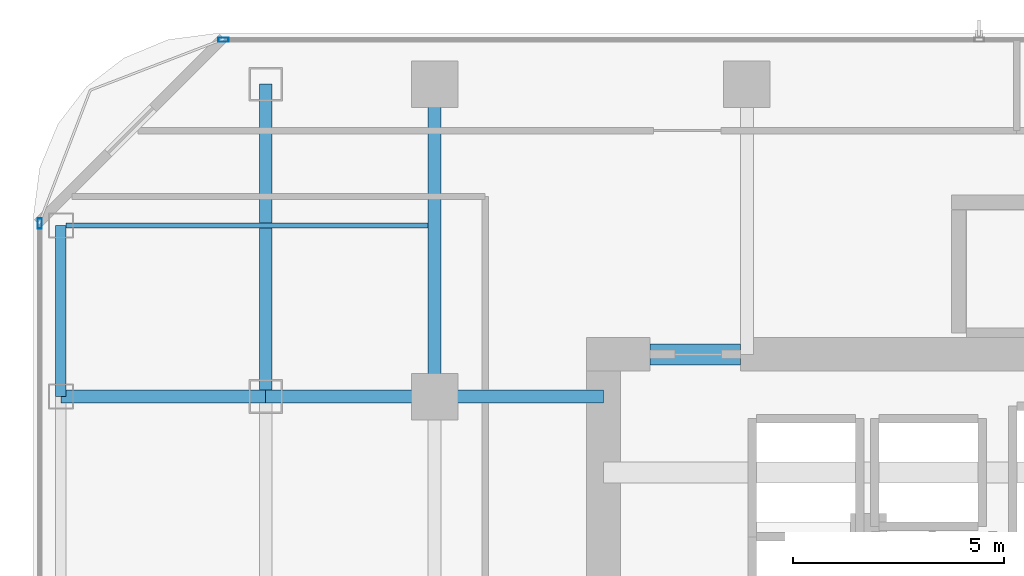
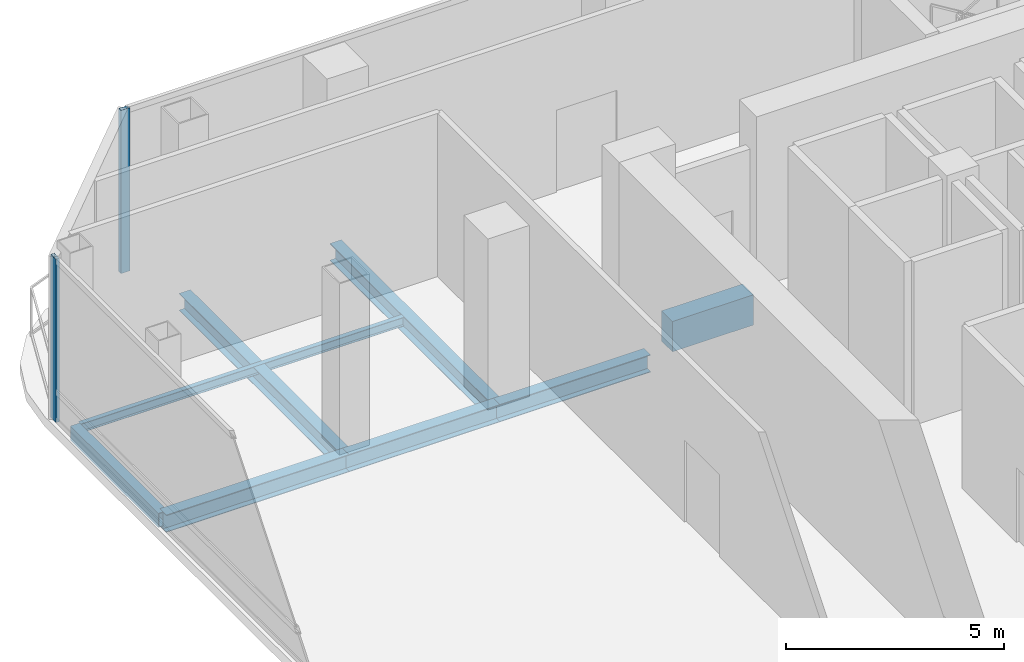
# One storey, part 11 of 22: 8 beams, 2 members, 2 elements without a shape of their own.
"""IFC4 building model written with IfcOpenShell, lengths in metres."""

from ifc_helpers import new_model, si_unit, direction, frame, origin, origin_2d, place, context, subcontext, project, spatial, rectangle, hollow_rectangle, i_section, extrude, material, layer, layer_set, material_profile, profile_set, type_object, element, aggregate, save


model = new_model("IFC4")

# Units and contexts
model_context = context("Model", 3, precision=1e-05, world=origin(), true_north=direction((0.0, 1.0)))
body_context = subcontext(model_context, "Body", "Model", "MODEL_VIEW")
ifc_project = project(units=[si_unit("LENGTHUNIT", "METRE"), si_unit("AREAUNIT", "SQUARE_METRE"), si_unit("VOLUMEUNIT", "CUBIC_METRE"), si_unit("PLANEANGLEUNIT", "RADIAN"), si_unit("MASSUNIT", "GRAM", prefix="KILO")], contexts=[model_context])

# Site, building, storey
site_placement = place(None, origin())
site = spatial("IfcSite", under=ifc_project, at=site_placement, CompositionType="ELEMENT")
building_placement = place(site_placement, origin())
building = spatial("IfcBuilding", under=site, at=building_placement, Name="Khorvyn Point Tower", CompositionType="ELEMENT")
storey_placement = place(building_placement, frame((0.0, 0.0, 210.89990234375)))
storey = spatial("IfcBuildingStorey", under=building, at=storey_placement, Name="L52", CompositionType="ELEMENT", Elevation=210.89990234375)

# Curtain wall, member
ifc_material_1 = material(Name="Anodised aluminium 6063-T6 and laminated Low-E glass", Category="aluminium")
ifc_layer = layer(ifc_material_1, 0.18994140625)
ifc_layer_set = layer_set([ifc_layer], Name="Stick-Built Sky-Lobby Curtain Wall CW-SYS-05")
curtain_wall_type = type_object("IfcCurtainWallType", Name="Stick-Built Sky-Lobby Curtain Wall CW-SYS-05", PredefinedType="NOTDEFINED", material=ifc_layer_set)
curtain_wall_1_placement = place(storey_placement, origin())
curtain_wall_1 = element("IfcCurtainWall", 1, at=curtain_wall_1_placement, inside=storey, type_object=curtain_wall_type, Name="Curtain Wall", PredefinedType="NOTDEFINED")
ifc_material_2 = material(Name="Anodised aluminium 6063-T6", Category="aluminium")
ifc_material_profile_1 = material_profile(ifc_material_2, hollow_rectangle(XDim=0.10009765625, YDim=0.239990234375, WallThickness=0.0048828125, at=origin_2d()))
ifc_profile_set_1 = profile_set([ifc_material_profile_1], Name="Anodised aluminium 6063-T6 ALU-MUL-100x240")
member_type = type_object("IfcMemberType", Name="Anodised Aluminium 6063-T6 Mullion ALU-MUL-100x240", PredefinedType="MULLION", material=ifc_profile_set_1)
member_1_placement = place(storey_placement, frame((-19.800048828125, 15.85009765625, 0.0), z_axis=(0.0, 0.0, 1.0), x_axis=(0.0, 1.0, 0.0)))
member_1 = element("IfcMember", 2, at=member_1_placement, type_object=member_type, Name="Transom", PredefinedType="MULLION", context=body_context, shape_type="SweptSolid", body=[
    extrude(hollow_rectangle(XDim=0.10009765625, YDim=0.239990234375, WallThickness=0.0048828125, at=origin_2d()), origin(), (0.0, 0.0, 1.0), 4.580078125),
])
aggregate(curtain_wall_1, [member_1])

curtain_wall_2_placement = place(storey_placement, origin())
curtain_wall_2 = element("IfcCurtainWall", 3, at=curtain_wall_2_placement, inside=storey, type_object=curtain_wall_type, Name="Curtain Wall", PredefinedType="NOTDEFINED")
member_2_placement = place(storey_placement, frame((-24.14990234375, 11.5, 0.0), z_axis=(0.0, 0.0, 1.0), x_axis=(-1.0, 0.0, 0.0)))
member_2 = element("IfcMember", 4, at=member_2_placement, type_object=member_type, Name="Transom", PredefinedType="MULLION", context=body_context, shape_type="SweptSolid", body=[
    extrude(hollow_rectangle(XDim=0.10009765625, YDim=0.239990234375, WallThickness=0.0048828125, at=origin_2d()), origin(), (0.0, 0.0, 1.0), 4.580078125),
])
aggregate(curtain_wall_2, [member_2])

# Beams
ifc_material_3 = material(Name="Concrete C45/55", Category="concrete")
ifc_material_profile_2 = material_profile(ifc_material_3, rectangle(XDim=0.5, YDim=0.85009765625, at=origin_2d()))
ifc_profile_set_2 = profile_set([ifc_material_profile_2], Name="Concrete C45/55 RC500x850")
beam_type_1 = type_object("IfcBeamType", Name="Concrete C45/55 Beam RC500x850", PredefinedType="BEAM", material=ifc_profile_set_2)
beam_1_placement = place(storey_placement, frame((-9.699951171875, 8.39990234375, -0.704833984375), z_axis=(1.0, 0.0, 0.0), x_axis=(0.0, 1.0, 0.0)))
element("IfcBeam", 5, at=beam_1_placement, inside=storey, type_object=beam_type_1, Name="L52 Core Northwest Portal Coupling Beam", PredefinedType="BEAM", context=body_context, shape_type="SweptSolid", body=[
    extrude(rectangle(XDim=0.5, YDim=0.85009765625, at=origin_2d()), origin(), (0.0, 0.0, 1.0), 2.14990234375),
])
ifc_material_4 = material(Name="Steel S355", Category="steel")
ifc_material_profile_3 = material_profile(ifc_material_4, i_section(OverallWidth=0.125, OverallDepth=0.25, WebThickness=0.006103515625, FlangeThickness=0.009033203125, at=origin_2d()))
ifc_profile_set_3 = profile_set([ifc_material_profile_3], Name="Steel S355 H250x125x6x9")
beam_type_2 = type_object("IfcBeamType", Name="Steel S355 Joist H250x125x6x9", PredefinedType="JOIST", material=ifc_profile_set_3)
beam_2_placement = place(storey_placement, frame((-23.52490234375, 11.449951171875, -0.40478515625), z_axis=(1.0, 0.0, 0.0), x_axis=(0.0, 1.0, 0.0)))
element("IfcBeam", 6, at=beam_2_placement, inside=storey, type_object=beam_type_2, Name="Beam", PredefinedType="JOIST", context=body_context, shape_type="SweptSolid", body=[
    extrude(i_section(OverallWidth=0.125, OverallDepth=0.25, WebThickness=0.006103515625, FlangeThickness=0.009033203125, at=origin_2d()), origin(), (0.0, 0.0, 1.0), 8.574951171875),
])
ifc_material_profile_4 = material_profile(ifc_material_4, i_section(OverallWidth=0.300048828125, OverallDepth=0.488037109375, WebThickness=0.010986328125, FlangeThickness=0.01806640625, at=origin_2d()))
ifc_profile_set_4 = profile_set([ifc_material_profile_4], Name="Steel S355 H488x300x11x18")
beam_type_3 = type_object("IfcBeamType", Name="Steel S355 Spandrel H488x300x11x18", PredefinedType="SPANDREL", material=ifc_profile_set_4)
beam_3_placement = place(storey_placement, frame((-23.64990234375, 7.39990234375, -0.52392578125), z_axis=(1.0, 0.0, 0.0), x_axis=(0.0, 1.0, 0.0)))
element("IfcBeam", 7, at=beam_3_placement, inside=storey, type_object=beam_type_3, Name="Beam", PredefinedType="SPANDREL", context=body_context, shape_type="SweptSolid", body=[
    extrude(i_section(OverallWidth=0.300048828125, OverallDepth=0.488037109375, WebThickness=0.010986328125, FlangeThickness=0.01806640625, at=origin_2d()), origin(), (0.0, 0.0, 1.0), 4.849853515625),
])
for number, where, z_axis, x_axis, name in (
    (8, (-18.800048828125, 7.39990234375, -0.52392578125), (1.0, 0.0, 0.0), (0.0, 1.0, 0.0), "Beam"),
    (9, (-14.800048828125, 7.39990234375, -0.52392578125), (1.0, 0.0, 0.0), (0.0, 1.0, 0.0), "Beam"),
):
    element("IfcBeam", number, at=place(storey_placement, frame(where, z_axis=z_axis, x_axis=x_axis)), inside=storey, type_object=beam_type_3, Name=name, PredefinedType="SPANDREL", context=body_context, shape_type="SweptSolid", body=[
        extrude(i_section(OverallWidth=0.300048828125, OverallDepth=0.488037109375, WebThickness=0.010986328125, FlangeThickness=0.01806640625, at=origin_2d()), origin(), (0.0, 0.0, 1.0), 4.0),
    ])
for number, where, z_axis, x_axis, name in (
    (10, (-14.800048828125, 7.39990234375, -0.52392578125), (0.0, 1.0, 0.0), (-1.0, 0.0, 0.0), "Beam"),
    (11, (-18.800048828125, 7.39990234375, -0.52392578125), (0.0, 1.0, 0.0), (-1.0, 0.0, 0.0), "Beam"),
):
    element("IfcBeam", number, at=place(storey_placement, frame(where, z_axis=z_axis, x_axis=x_axis)), inside=storey, type_object=beam_type_3, Name=name, PredefinedType="SPANDREL", context=body_context, shape_type="SweptSolid", body=[
        extrude(i_section(OverallWidth=0.300048828125, OverallDepth=0.488037109375, WebThickness=0.010986328125, FlangeThickness=0.01806640625, at=origin_2d()), origin(), (0.0, 0.0, 1.0), 7.400146484375),
    ])
ifc_material_profile_5 = material_profile(ifc_material_4, hollow_rectangle(XDim=0.25, YDim=0.39990234375, WallThickness=0.01611328125, at=origin_2d()))
ifc_profile_set_5 = profile_set([ifc_material_profile_5], Name="Steel S355 RHS400x250x16")
beam_type_4 = type_object("IfcBeamType", Name="Steel S355 Spandrel RHS400x250x16", PredefinedType="SPANDREL", material=ifc_profile_set_5)
beam_4_placement = place(storey_placement, frame((-23.64990234375, 7.39990234375, -0.47998046875), z_axis=(0.0, 1.0, 0.0), x_axis=(-1.0, 0.0, 0.0)))
element("IfcBeam", 12, at=beam_4_placement, inside=storey, type_object=beam_type_4, Name="Beam", PredefinedType="SPANDREL", context=body_context, shape_type="SweptSolid", body=[
    extrude(hollow_rectangle(XDim=0.25, YDim=0.39990234375, WallThickness=0.01611328125, at=origin_2d()), origin(), (0.0, 0.0, 1.0), 4.050048828125),
])

save(model, "model.ifc")
